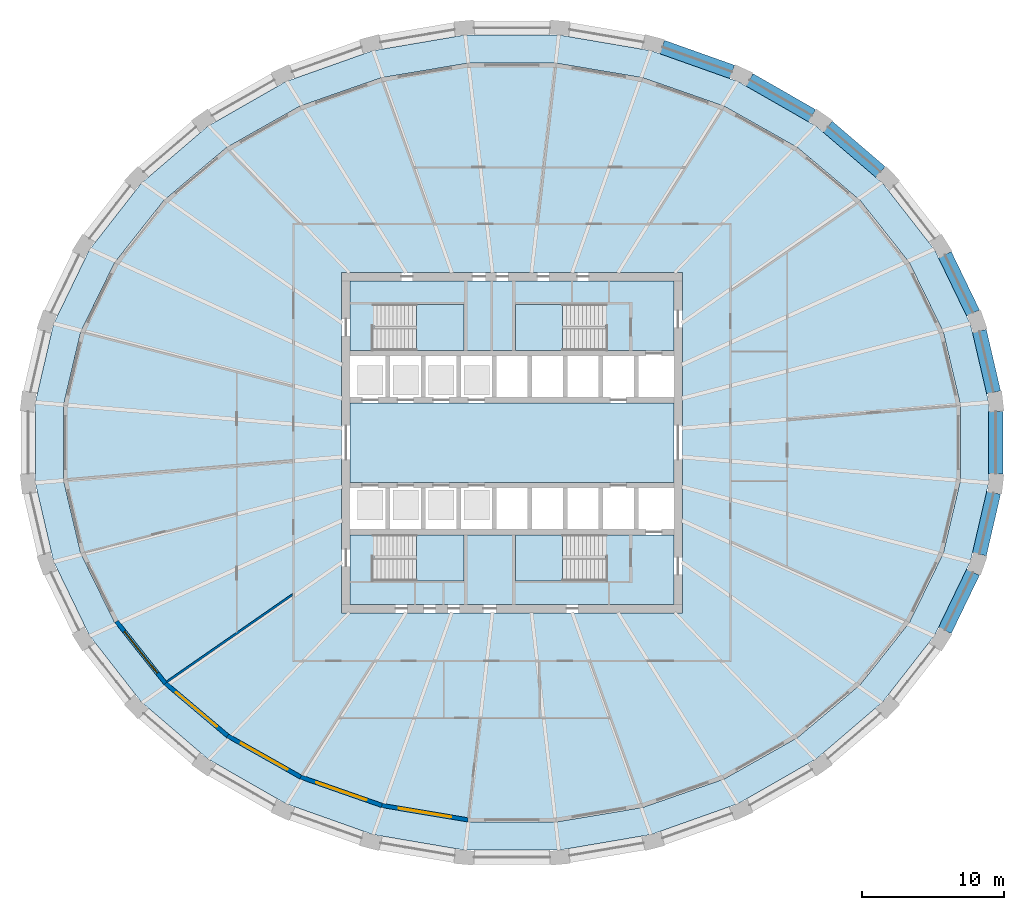
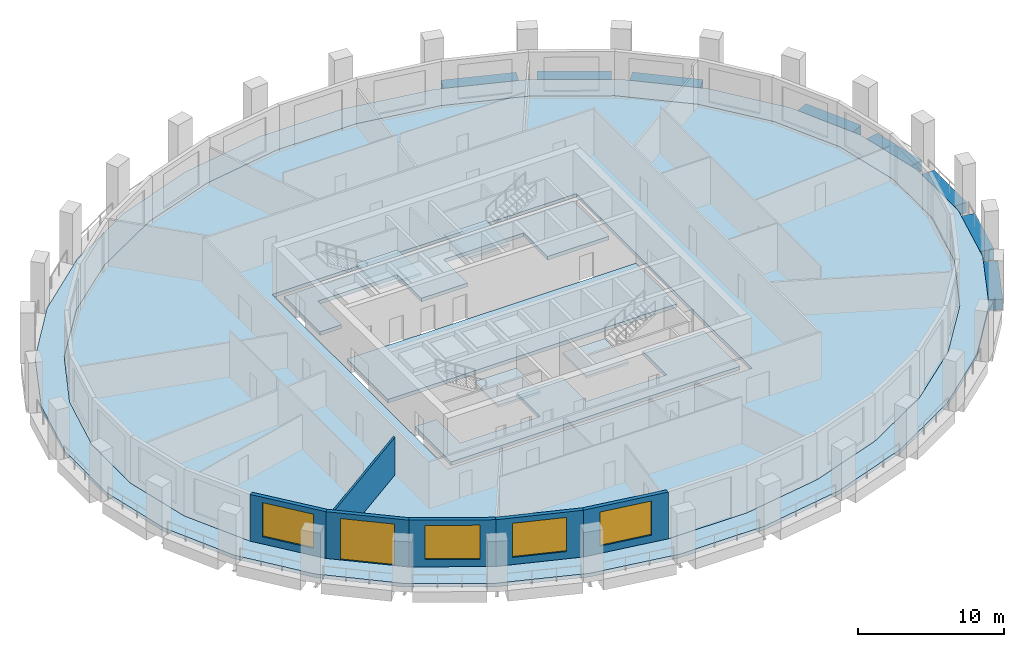
# One storey, part 2 of 11: 9 slabs, 8 beams, 6 walls, 4 windows, 1 door, 5 openings, 4 elements without a shape of their own.
"""IFC4 building model written with IfcOpenShell, lengths in metres."""

from ifc_helpers import new_model, si_unit, direction, frame, frame_2d, origin, origin_2d, place, context, subcontext, project, spatial, polyline, rectangle, outline, extrude, material, layer, layer_set, material_profile, profile_set, type_object, element, fill, aggregate, save


model = new_model("IFC4")

# Units and contexts
model_context = context("Model", 3, precision=1e-05, world=origin(), true_north=direction((0.0, 1.0)))
body_context = subcontext(model_context, "Body", "Model", "MODEL_VIEW")
ifc_project = project(units=[si_unit("LENGTHUNIT", "METRE"), si_unit("AREAUNIT", "SQUARE_METRE"), si_unit("VOLUMEUNIT", "CUBIC_METRE"), si_unit("PLANEANGLEUNIT", "RADIAN"), si_unit("MASSUNIT", "GRAM", prefix="KILO")], contexts=[model_context])

# Site, building, storey
site_placement = place(None, origin())
site = spatial("IfcSite", under=ifc_project, at=site_placement, CompositionType="ELEMENT")
building_placement = place(site_placement, origin())
building = spatial("IfcBuilding", under=site, at=building_placement, Name="Halqa Exchange Tower", CompositionType="ELEMENT")
storey_placement = place(building_placement, frame((0.0, 0.0, 146.5)))
storey = spatial("IfcBuildingStorey", under=building, at=storey_placement, Name="L33", CompositionType="ELEMENT", Elevation=146.5)

# Beams
ifc_material_1 = material(Name="Concrete C60/75", Category="concrete")
ifc_material_profile = material_profile(ifc_material_1, rectangle(XDim=1.0, YDim=0.89990234375, at=origin_2d()), Name="1000 x 900")
ifc_profile_set = profile_set([ifc_material_profile], Name="Concrete C60/75")
beam_type = type_object("IfcBeamType", Name="RC spandrel beam 1000 x 900 C60/75", PredefinedType="SPANDREL", material=ifc_profile_set)
beam_1_placement = place(storey_placement, frame((33.9453125, 3.536865234375, -0.449951171875), z_axis=(-0.226018930152, 0.974122909705, 0.0), x_axis=(-0.974122909705, -0.226018930152, 0.0)))
element("IfcBeam", 1, at=beam_1_placement, inside=storey, type_object=beam_type, Name="Spandrel 1", PredefinedType="SPANDREL", context=body_context, shape_type="SweptSolid", body=[
    extrude(rectangle(XDim=1.0, YDim=0.89990234375, at=origin_2d()), origin(), (0.0, 0.0, 1.0), 4.44384765625),
])
beam_2_placement = place(storey_placement, frame((32.49365234375, 9.134033203125, -0.449951171875), z_axis=(-0.435149114215, 0.900358399971, 0.0), x_axis=(-0.900358399971, -0.435149114215, 0.0)))
element("IfcBeam", 2, at=beam_2_placement, inside=storey, type_object=beam_type, Name="Spandrel 2", PredefinedType="SPANDREL", context=body_context, shape_type="SweptSolid", body=[
    extrude(rectangle(XDim=1.0, YDim=0.89990234375, at=origin_2d()), origin(), (0.0, 0.0, 1.0), 4.556396484375),
])
beam_3_placement = place(storey_placement, frame((25.972900390625, 19.07080078125, -0.449951171875), z_axis=(-0.759267140772, 0.650779078447, 0.0), x_axis=(-0.650779078447, -0.759267140772, 0.0)))
element("IfcBeam", 3, at=beam_3_placement, inside=storey, type_object=beam_type, Name="Spandrel 4", PredefinedType="SPANDREL", context=body_context, shape_type="SweptSolid", body=[
    extrude(rectangle(XDim=1.0, YDim=0.89990234375, at=origin_2d()), origin(), (0.0, 0.0, 1.0), 4.90576171875),
])
beam_4_placement = place(storey_placement, frame((21.150634765625, 23.03759765625, -0.449951171875), z_axis=(-0.867746542686, 0.497006979484, 0.0), x_axis=(-0.497006979484, -0.867746542686, 0.0)))
element("IfcBeam", 4, at=beam_4_placement, inside=storey, type_object=beam_type, Name="Spandrel 5", PredefinedType="SPANDREL", context=body_context, shape_type="SweptSolid", body=[
    extrude(rectangle(XDim=1.0, YDim=0.89990234375, at=origin_2d()), origin(), (0.0, 0.0, 1.0), 5.087158203125),
])
beam_5_placement = place(storey_placement, frame((15.515380859375, 26.12646484375, -0.449951171875), z_axis=(-0.942353294541, 0.334619587393, 0.0), x_axis=(-0.334619587393, -0.942353294541, 0.0)))
element("IfcBeam", 5, at=beam_5_placement, inside=storey, type_object=beam_type, Name="Spandrel 6", PredefinedType="SPANDREL", context=body_context, shape_type="SweptSolid", body=[
    extrude(rectangle(XDim=1.0, YDim=0.89990234375, at=origin_2d()), origin(), (0.0, 0.0, 1.0), 5.235595703125),
])
beam_6_placement = place(storey_placement, frame((30.510986328125, -13.236328125, -0.449951171875), z_axis=(0.435149114215, 0.900358399971, 0.0), x_axis=(-0.900358399971, 0.435149114215, 0.0)))
element("IfcBeam", 6, at=beam_6_placement, inside=storey, type_object=beam_type, Name="Spandrel 30", PredefinedType="SPANDREL", context=body_context, shape_type="SweptSolid", body=[
    extrude(rectangle(XDim=1.0, YDim=0.89990234375, at=origin_2d()), origin(), (0.0, 0.0, 1.0), 4.556396484375),
])
beam_7_placement = place(storey_placement, frame((32.94091796875, -7.86572265625, -0.449951171875), z_axis=(0.226018930152, 0.974122909705, 0.0), x_axis=(-0.974122909705, 0.226018930152, 0.0)))
element("IfcBeam", 7, at=beam_7_placement, inside=storey, type_object=beam_type, Name="Spandrel 31", PredefinedType="SPANDREL", context=body_context, shape_type="SweptSolid", body=[
    extrude(rectangle(XDim=1.0, YDim=0.89990234375, at=origin_2d()), origin(), (0.0, 0.0, 1.0), 4.44384765625),
])
beam_8_placement = place(storey_placement, frame((34.09814453125, -2.20263671875, -0.449951171875), z_axis=(0.0, 1.0, 0.0), x_axis=(-1.0, 0.0, 0.0)))
element("IfcBeam", 8, at=beam_8_placement, inside=storey, type_object=beam_type, Name="Spandrel 32", PredefinedType="SPANDREL", context=body_context, shape_type="SweptSolid", body=[
    extrude(rectangle(XDim=1.0, YDim=0.89990234375, at=origin_2d()), origin(), (0.0, 0.0, 1.0), 4.4052734375),
])

# Slabs
ifc_layer_1 = layer(ifc_material_1, 0.300048828125)
ifc_layer_set_1 = layer_set([ifc_layer_1], Name="Concrete C60/75")
slab_type_1 = type_object("IfcSlabType", Name="Core floor slab 300", PredefinedType="FLOOR", material=ifc_layer_set_1)
slab_1_placement = place(storey_placement, frame((0.0, 0.0, -0.300048828125)))
element("IfcSlab", 9, at=slab_1_placement, inside=storey, type_object=slab_type_1, Name="Core floor slab", PredefinedType="FLOOR", context=body_context, shape_type="SweptSolid", body=[
    extrude(outline(polyline([(-11.39990234375, 2.800048828125), (11.39990234375, 2.800048828125), (11.39990234375, -2.800048828125), (-11.39990234375, -2.800048828125), (-11.39990234375, 2.800048828125)])), origin(), (0.0, 0.0, 1.0), 0.300048828125),
])
slab_2_placement = place(storey_placement, frame((0.0, 0.0, -0.300048828125)))
element("IfcSlab", 10, at=slab_2_placement, inside=storey, type_object=slab_type_1, Name="Core floor slab", PredefinedType="FLOOR", context=body_context, shape_type="SweptSolid", body=[
    extrude(outline(polyline([(-11.39990234375, 11.39990234375), (11.39990234375, 11.39990234375), (11.39990234375, 6.5), (6.550048828125, 6.5), (6.550048828125, 9.75), (0.25, 9.75), (0.25, 6.5), (-3.39990234375, 6.5), (-3.39990234375, 9.75), (-9.699951171875, 9.75), (-9.699951171875, 6.5), (-11.39990234375, 6.5), (-11.39990234375, 11.39990234375)])), origin(), (0.0, 0.0, 1.0), 0.300048828125),
])
slab_3_placement = place(storey_placement, frame((0.0, 0.0, -0.300048828125)))
element("IfcSlab", 11, at=slab_3_placement, inside=storey, type_object=slab_type_1, Name="Core floor slab", PredefinedType="FLOOR", context=body_context, shape_type="SweptSolid", body=[
    extrude(outline(polyline([(-9.699951171875, -9.75), (-3.39990234375, -9.75), (-3.39990234375, -6.5), (0.25, -6.5), (0.25, -9.75), (6.550048828125, -9.75), (6.550048828125, -6.5), (11.39990234375, -6.5), (11.39990234375, -11.39990234375), (-11.39990234375, -11.39990234375), (-11.39990234375, -6.5), (-9.699951171875, -6.5), (-9.699951171875, -9.75)])), origin(), (0.0, 0.0, 1.0), 0.300048828125),
])
ifc_material_2 = material(Name="Concrete C40/50", Category="concrete")
ifc_layer_2 = layer(ifc_material_2, 0.300048828125)
ifc_layer_set_2 = layer_set([ifc_layer_2], Name="Concrete C40/50")
slab_type_2 = type_object("IfcSlabType", Name="RC floor slab 300", PredefinedType="FLOOR", material=ifc_layer_set_2)
slab_4_placement = place(storey_placement, frame((0.0, 0.0, -0.300048828125)))
element("IfcSlab", 12, at=slab_4_placement, inside=storey, type_object=slab_type_2, Name="Floor slab", PredefinedType="FLOOR", context=body_context, shape_type="SweptSolid", body=[
    extrude(outline(polyline([(31.61181640625, 2.63916015625), (30.392578125, 7.814208984375), (28.00341796875, 12.685302734375), (24.5380859375, 17.064697265625), (20.132080078125, 20.78515625), (14.955810546875, 23.705810546875), (9.208251953125, 25.716064453125), (3.10888671875, 26.740478515625), (-3.10888671875, 26.740478515625), (-9.208251953125, 25.716064453125), (-14.955810546875, 23.705810546875), (-20.132080078125, 20.78515625), (-24.5380859375, 17.064697265625), (-28.00341796875, 12.685302734375), (-30.392578125, 7.814208984375), (-31.61181640625, 2.63916015625), (-31.61181640625, -2.63916015625), (-30.392578125, -7.814208984375), (-28.00341796875, -12.685302734375), (-24.5380859375, -17.064697265625), (-20.132080078125, -20.78515625), (-14.955810546875, -23.705810546875), (-9.208251953125, -25.716064453125), (-3.10888671875, -26.740478515625), (3.10888671875, -26.740478515625), (9.208251953125, -25.716064453125), (14.955810546875, -23.705810546875), (20.132080078125, -20.78515625), (24.5380859375, -17.064697265625), (28.00341796875, -12.685302734375), (30.392578125, -7.814208984375), (31.61181640625, -2.63916015625), (31.61181640625, 2.63916015625)]), holes=[polyline([(-12.0, -12.0), (12.0, -12.0), (12.0, 12.0), (-12.0, 12.0), (-12.0, -12.0)])]), origin(), (0.0, 0.0, 1.0), 0.300048828125),
])
ifc_layer_3 = layer(ifc_material_2, 0.300048828125)
ifc_layer_set_3 = layer_set([ifc_layer_3], Name="Concrete C40/50")
slab_type_3 = type_object("IfcSlabType", Name="RC loggia slab 300", PredefinedType="FLOOR", material=ifc_layer_set_3)
slab_5_placement = place(storey_placement, frame((0.0, 0.0, -0.300048828125)))
element("IfcSlab", 13, at=slab_5_placement, inside=storey, type_object=slab_type_3, Name="Loggia slab", PredefinedType="FLOOR", context=body_context, shape_type="SweptSolid", body=[
    extrude(outline(polyline([(33.59814453125, 2.8212890625), (33.59814453125, -2.8212890625), (32.313232421875, -8.35791015625), (29.790283203125, -13.578857421875), (26.122314453125, -18.2841796875), (21.44677734375, -22.291748046875), (15.94189453125, -25.444580078125), (9.819580078125, -27.618408203125), (3.316162109375, -28.72705078125), (-3.316162109375, -28.72705078125), (-9.819580078125, -27.618408203125), (-15.94189453125, -25.444580078125), (-21.44677734375, -22.291748046875), (-26.122314453125, -18.2841796875), (-29.790283203125, -13.578857421875), (-32.313232421875, -8.35791015625), (-33.59814453125, -2.8212890625), (-33.59814453125, 2.8212890625), (-32.313232421875, 8.35791015625), (-29.790283203125, 13.578857421875), (-26.122314453125, 18.2841796875), (-21.44677734375, 22.291748046875), (-15.94189453125, 25.444580078125), (-9.819580078125, 27.618408203125), (-3.316162109375, 28.72705078125), (3.316162109375, 28.72705078125), (9.819580078125, 27.618408203125), (15.94189453125, 25.444580078125), (21.44677734375, 22.291748046875), (26.122314453125, 18.2841796875), (29.790283203125, 13.578857421875), (32.313232421875, 8.35791015625), (33.59814453125, 2.8212890625)]), holes=[polyline([(31.61181640625, 2.63916015625), (30.392578125, 7.814208984375), (28.00341796875, 12.685302734375), (24.5380859375, 17.064697265625), (20.132080078125, 20.78515625), (14.955810546875, 23.705810546875), (9.208251953125, 25.716064453125), (3.10888671875, 26.740478515625), (-3.10888671875, 26.740478515625), (-9.208251953125, 25.716064453125), (-14.955810546875, 23.705810546875), (-20.132080078125, 20.78515625), (-24.5380859375, 17.064697265625), (-28.00341796875, 12.685302734375), (-30.392578125, 7.814208984375), (-31.61181640625, 2.63916015625), (-31.61181640625, -2.63916015625), (-30.392578125, -7.814208984375), (-28.00341796875, -12.685302734375), (-24.5380859375, -17.064697265625), (-20.132080078125, -20.78515625), (-14.955810546875, -23.705810546875), (-9.208251953125, -25.716064453125), (-3.10888671875, -26.740478515625), (3.10888671875, -26.740478515625), (9.208251953125, -25.716064453125), (14.955810546875, -23.705810546875), (20.132080078125, -20.78515625), (24.5380859375, -17.064697265625), (28.00341796875, -12.685302734375), (30.392578125, -7.814208984375), (31.61181640625, -2.63916015625), (31.61181640625, 2.63916015625)])]), origin(), (0.0, 0.0, 1.0), 0.300048828125),
])

# Stair, slab
ifc_material_3 = material(Name="Concrete C30/37", Category="concrete")
stair_type = type_object("IfcStairType", Name="Exit stair 1500 wide", PredefinedType="HALF_TURN_STAIR", material=ifc_material_3)
stair_1_placement = place(storey_placement, origin())
stair_1 = element("IfcStair", 14, at=stair_1_placement, inside=storey, type_object=stair_type, Name="Exit stair ST1", PredefinedType="HALF_TURN_STAIR")
ifc_layer_4 = layer(ifc_material_3, 0.199951171875)
ifc_layer_set_4 = layer_set([ifc_layer_4], Name="Concrete C30/37")
slab_type_4 = type_object("IfcSlabType", Name="Stair landing 200 slab", PredefinedType="LANDING", material=ifc_layer_set_4)
slab_6_placement = place(storey_placement, frame((0.0, 0.0, 1.89990234375)))
slab_6 = element("IfcSlab", 15, at=slab_6_placement, type_object=slab_type_4, Name="ST1 landing 1", PredefinedType="LANDING", context=body_context, shape_type="SweptSolid", body=[
    extrude(outline(polyline([(-6.719970703125, 6.5), (-3.39990234375, 6.5), (-3.39990234375, 9.75), (-6.719970703125, 9.75), (-6.719970703125, 6.5)])), origin(), (0.0, 0.0, 1.0), 0.2001953125),
])
aggregate(stair_1, [slab_6])

stair_2_placement = place(storey_placement, origin())
stair_2 = element("IfcStair", 16, at=stair_2_placement, inside=storey, type_object=stair_type, Name="Exit stair ST2", PredefinedType="HALF_TURN_STAIR")
slab_7_placement = place(storey_placement, frame((0.0, 0.0, 1.89990234375)))
slab_7 = element("IfcSlab", 17, at=slab_7_placement, type_object=slab_type_4, Name="ST2 landing 1", PredefinedType="LANDING", context=body_context, shape_type="SweptSolid", body=[
    extrude(outline(polyline([(0.25, 6.5), (3.570068359375, 6.5), (3.570068359375, 9.75), (0.25, 9.75), (0.25, 6.5)])), origin(), (0.0, 0.0, 1.0), 0.2001953125),
])
aggregate(stair_2, [slab_7])

stair_3_placement = place(storey_placement, origin())
stair_3 = element("IfcStair", 18, at=stair_3_placement, inside=storey, type_object=stair_type, Name="Exit stair ST3", PredefinedType="HALF_TURN_STAIR")
slab_8_placement = place(storey_placement, frame((0.0, 0.0, 1.89990234375)))
slab_8 = element("IfcSlab", 19, at=slab_8_placement, type_object=slab_type_4, Name="ST3 landing 1", PredefinedType="LANDING", context=body_context, shape_type="SweptSolid", body=[
    extrude(outline(polyline([(-6.719970703125, -9.75), (-3.39990234375, -9.75), (-3.39990234375, -6.5), (-6.719970703125, -6.5), (-6.719970703125, -9.75)])), origin(), (0.0, 0.0, 1.0), 0.2001953125),
])
aggregate(stair_3, [slab_8])

stair_4_placement = place(storey_placement, origin())
stair_4 = element("IfcStair", 20, at=stair_4_placement, inside=storey, type_object=stair_type, Name="Exit stair ST4", PredefinedType="HALF_TURN_STAIR")
slab_9_placement = place(storey_placement, frame((0.0, 0.0, 1.89990234375)))
slab_9 = element("IfcSlab", 21, at=slab_9_placement, type_object=slab_type_4, Name="ST4 landing 1", PredefinedType="LANDING", context=body_context, shape_type="SweptSolid", body=[
    extrude(outline(polyline([(0.25, -9.75), (3.570068359375, -9.75), (3.570068359375, -6.5), (0.25, -6.5), (0.25, -9.75)])), origin(), (0.0, 0.0, 1.0), 0.2001953125),
])
aggregate(stair_4, [slab_9])

# Wall
ifc_material_4 = material(Name="Fire-rated gypsum board")
ifc_layer_5 = layer(ifc_material_4, 0.14990234375)
ifc_layer_set_5 = layer_set([ifc_layer_5], Name="Fire-rated gypsum board")
wall_type_1 = type_object("IfcWallType", Name="Fire partition EI 60 150", PredefinedType="PARTITIONING", material=ifc_layer_set_5)
wall_1_placement = place(storey_placement, frame((-24.32373046875, -16.859130859375, 0.0), z_axis=(0.0, 0.0, 1.0), x_axis=(0.821700462415, 0.569919599652, 0.0)))
element("IfcWall", 22, at=wall_1_placement, inside=storey, type_object=wall_type_1, Name="L33-PWL-003", PredefinedType="PARTITIONING", context=body_context, shape_type="SweptSolid", body=[
    extrude(outline(polyline([(0.025146484375, -0.074951171875), (1.80712890625, -0.074951171875), (3.5888671875, -0.074951171875), (5.370849609375, -0.074951171875), (7.15283203125, -0.074951171875), (8.934814453125, -0.074951171875), (10.716796875, -0.074951171875), (10.8203125, 0.07421875), (10.8203125, 0.074951171875), (9.24853515625, 0.074951171875), (7.6767578125, 0.074951171875), (6.10498046875, 0.074951171875), (6.10400390625, 0.073486328125), (6.101806640625, 0.074951171875), (4.576416015625, 0.074951171875), (3.051025390625, 0.074951171875), (1.525390625, 0.074951171875), (0.0, 0.074951171875), (0.0, 0.070556640625), (0.00439453125, 0.002197265625), (0.025146484375, -0.074951171875)])), origin(), (0.0, 0.0, 1.0), 3.14697265625),
])

# Wall, opening, window
ifc_material_5 = material(Name="Limestone cladding", Category="masonry")
ifc_layer_6 = layer(ifc_material_5, 0.0400390625)
ifc_material_6 = material(Name="Ventilated cavity")
ifc_layer_7 = layer(ifc_material_6, 0.030029296875, ventilated=True)
ifc_material_7 = material(Name="Mineral wool insulation")
ifc_layer_8 = layer(ifc_material_7, 0.10009765625)
ifc_layer_9 = layer(ifc_material_3, 0.10009765625)
ifc_material_8 = material(Name="Internal plaster")
ifc_layer_10 = layer(ifc_material_8, 0.030029296875)
ifc_layer_set_6 = layer_set([ifc_layer_6, ifc_layer_7, ifc_layer_8, ifc_layer_9, ifc_layer_10], Name="Stone-faced insulated wall 300")
wall_type_2 = type_object("IfcWallType", Name="Stone-faced insulated wall 300", PredefinedType="STANDARD", material=ifc_layer_set_6)
wall_2_placement = place(storey_placement, frame((-27.875732421875, -12.604736328125, 0.0), z_axis=(0.0, 0.0, 1.0), x_axis=(0.620520511988, -0.784190215574, 0.0)))
wall_2 = element("IfcWall", 23, at=wall_2_placement, inside=storey, type_object=wall_type_2, Name="Glass-line wall 19", PredefinedType="STANDARD", context=body_context, shape_type="SweptSolid", body=[
    extrude(outline(polyline([(-0.01611328125, -0.14990234375), (5.568603515625, -0.14990234375), (5.538330078125, 0.14990234375), (0.01611328125, 0.14990234375), (-0.01611328125, -0.14990234375)])), origin(), (0.0, 0.0, 1.0), 3.89990234375),
])
opening_1_placement = place(wall_2_placement, frame((0.901611328125, 0.0, 0.60009765625)))
opening_1 = element("IfcOpeningElement", 24, at=opening_1_placement, cuts=wall_2, Name="Opening W-F2-19", PredefinedType="OPENING", context=body_context, shape_type="SweptSolid", body=[
    extrude(rectangle(XDim=3.75, YDim=2.85009765625, at=frame_2d((1.875, 1.425048828125))), frame((0.0, 0.162109375, 0.0), z_axis=(0.0, -1.0, 0.0), x_axis=(1.0, 0.0, 0.0)), (0.0, 0.0, 1.0), 0.323974609375),
])
ifc_material_9 = material(Name="Clear low-emissivity glass in aluminium frame", Category="aluminium")
window_type = type_object("IfcWindowType", Name="Fixed clear glazed window 3750 x 2850", PartitioningType="TRIPLE_PANEL_VERTICAL", PredefinedType="WINDOW", material=ifc_material_9)
window_1_placement = place(opening_1_placement, origin())
window_1 = element("IfcWindow", 25, at=window_1_placement, inside=storey, type_object=window_type, Name="Window 2", OverallHeight=2.85009765625, OverallWidth=3.75, PartitioningType="TRIPLE_PANEL_VERTICAL", PredefinedType="WINDOW", context=body_context, shape_type="SweptSolid", body=[
    extrude(rectangle(XDim=3.75, YDim=2.85009765625, at=frame_2d((1.875, 1.425048828125))), frame((0.0, 0.030029296875, 0.0), z_axis=(0.0, -1.0, 0.0), x_axis=(1.0, 0.0, 0.0)), (0.0, 0.0, 1.0), 0.06005859375),
])
fill(opening_1, window_1)

# Wall, opening, door
wall_3_placement = place(storey_placement, frame((-24.4296875, -16.959716796875, 0.0), z_axis=(0.0, 0.0, 1.0), x_axis=(0.764047627809, -0.64515984255, 0.0)))
wall_3 = element("IfcWall", 26, at=wall_3_placement, inside=storey, type_object=wall_type_2, Name="Glass-line wall 20", PredefinedType="STANDARD", context=body_context, shape_type="SweptSolid", body=[
    extrude(outline(polyline([(-0.01513671875, -0.14990234375), (5.751708984375, -0.14990234375), (5.723388671875, 0.14990234375), (0.01513671875, 0.14990234375), (-0.01513671875, -0.14990234375)])), origin(), (0.0, 0.0, 1.0), 3.89990234375),
])
opening_2_placement = place(wall_3_placement, frame((0.99365234375, 0.0, 0.0)))
opening_2 = element("IfcOpeningElement", 27, at=opening_2_placement, cuts=wall_3, Name="Opening LG-F2-05", PredefinedType="OPENING", context=body_context, shape_type="SweptSolid", body=[
    extrude(rectangle(XDim=3.75, YDim=3.449951171875, at=frame_2d((1.875, 1.72509765625))), frame((0.0, 0.162109375, 0.0), z_axis=(0.0, -1.0, 0.0), x_axis=(1.0, 0.0, 0.0)), (0.0, 0.0, 1.0), 0.323974609375),
])
door_type = type_object("IfcDoorType", Name="Glazed sliding loggia door 3750 x 3450", OperationType="DOUBLE_DOOR_SLIDING", PredefinedType="DOOR", material=ifc_material_9)
door_placement = place(opening_2_placement, origin())
door = element("IfcDoor", 28, at=door_placement, inside=storey, type_object=door_type, Name="Loggia door 5", OperationType="DOUBLE_DOOR_SLIDING", OverallHeight=3.449951171875, OverallWidth=3.75, PredefinedType="DOOR", context=body_context, shape_type="SweptSolid", body=[
    extrude(rectangle(XDim=3.75, YDim=3.449951171875, at=frame_2d((1.875, 1.72509765625))), frame((0.0, 0.02490234375, 0.0), z_axis=(0.0, -1.0, 0.0), x_axis=(1.0, 0.0, 0.0)), (0.0, 0.0, 1.0), 0.050048828125),
])
fill(opening_2, door)

# Wall, opening, window
wall_4_placement = place(storey_placement, frame((-20.0458984375, -20.661376953125, 0.0), z_axis=(0.0, 0.0, 1.0), x_axis=(0.870912346166, -0.491438384028, 0.0)))
wall_4 = element("IfcWall", 29, at=wall_4_placement, inside=storey, type_object=wall_type_2, Name="Glass-line wall 21", PredefinedType="STANDARD", context=body_context, shape_type="SweptSolid", body=[
    extrude(outline(polyline([(-0.01416015625, -0.14990234375), (5.92919921875, -0.14990234375), (5.90234375, 0.14990234375), (0.01416015625, 0.14990234375), (-0.01416015625, -0.14990234375)])), origin(), (0.0, 0.0, 1.0), 3.89990234375),
])
opening_3_placement = place(wall_4_placement, frame((1.0830078125, 0.0, 0.60009765625)))
opening_3 = element("IfcOpeningElement", 30, at=opening_3_placement, cuts=wall_4, Name="Opening W-F2-21", PredefinedType="OPENING", context=body_context, shape_type="SweptSolid", body=[
    extrude(rectangle(XDim=3.75, YDim=2.85009765625, at=frame_2d((1.875, 1.425048828125))), frame((0.0, 0.162109375, 0.0), z_axis=(0.0, -1.0, 0.0), x_axis=(1.0, 0.0, 0.0)), (0.0, 0.0, 1.0), 0.323974609375),
])
window_2_placement = place(opening_3_placement, origin())
window_2 = element("IfcWindow", 31, at=window_2_placement, inside=storey, type_object=window_type, Name="Window 2", OverallHeight=2.85009765625, OverallWidth=3.75, PartitioningType="TRIPLE_PANEL_VERTICAL", PredefinedType="WINDOW", context=body_context, shape_type="SweptSolid", body=[
    extrude(rectangle(XDim=3.75, YDim=2.85009765625, at=frame_2d((1.875, 1.425048828125))), frame((0.0, 0.030029296875, 0.0), z_axis=(0.0, -1.0, 0.0), x_axis=(1.0, 0.0, 0.0)), (0.0, 0.0, 1.0), 0.06005859375),
])
fill(opening_3, window_2)

wall_5_placement = place(storey_placement, frame((-14.893798828125, -23.568603515625, 0.0), z_axis=(0.0, 0.0, 1.0), x_axis=(0.943925510212, -0.330158494016, 0.0)))
wall_5 = element("IfcWall", 32, at=wall_5_placement, inside=storey, type_object=wall_type_2, Name="Glass-line wall 22", PredefinedType="STANDARD", context=body_context, shape_type="SweptSolid", body=[
    extrude(outline(polyline([(-0.013427734375, -0.14990234375), (6.07568359375, -0.14990234375), (6.05029296875, 0.14990234375), (0.013427734375, 0.14990234375), (-0.013427734375, -0.14990234375)])), origin(), (0.0, 0.0, 1.0), 3.89990234375),
])
opening_4_placement = place(wall_5_placement, frame((1.156494140625, 0.0, 0.60009765625)))
opening_4 = element("IfcOpeningElement", 33, at=opening_4_placement, cuts=wall_5, Name="Opening W-F2-22", PredefinedType="OPENING", context=body_context, shape_type="SweptSolid", body=[
    extrude(rectangle(XDim=3.75, YDim=2.85009765625, at=frame_2d((1.875, 1.425048828125))), frame((0.0, 0.162109375, 0.0), z_axis=(0.0, -1.0, 0.0), x_axis=(1.0, 0.0, 0.0)), (0.0, 0.0, 1.0), 0.323974609375),
])
window_3_placement = place(opening_4_placement, origin())
window_3 = element("IfcWindow", 34, at=window_3_placement, inside=storey, type_object=window_type, Name="Window 2", OverallHeight=2.85009765625, OverallWidth=3.75, PartitioningType="TRIPLE_PANEL_VERTICAL", PredefinedType="WINDOW", context=body_context, shape_type="SweptSolid", body=[
    extrude(rectangle(XDim=3.75, YDim=2.85009765625, at=frame_2d((1.875, 1.425048828125))), frame((0.0, 0.030029296875, 0.0), z_axis=(0.0, -1.0, 0.0), x_axis=(1.0, 0.0, 0.0)), (0.0, 0.0, 1.0), 0.06005859375),
])
fill(opening_4, window_3)

wall_6_placement = place(storey_placement, frame((-9.1708984375, -25.5703125, 0.0), z_axis=(0.0, 0.0, 1.0), x_axis=(0.986186393203, -0.165639360845, 0.0)))
wall_6 = element("IfcWall", 35, at=wall_6_placement, inside=storey, type_object=wall_type_2, Name="Glass-line wall 23", PredefinedType="STANDARD", context=body_context, shape_type="SweptSolid", body=[
    extrude(outline(polyline([(-0.0126953125, -0.14990234375), (6.172119140625, -0.14990234375), (6.147216796875, 0.14990234375), (0.0126953125, 0.14990234375), (-0.0126953125, -0.14990234375)])), origin(), (0.0, 0.0, 1.0), 3.89990234375),
])
opening_5_placement = place(wall_6_placement, frame((1.20458984375, 0.0, 0.60009765625)))
opening_5 = element("IfcOpeningElement", 36, at=opening_5_placement, cuts=wall_6, Name="Opening W-F2-23", PredefinedType="OPENING", context=body_context, shape_type="SweptSolid", body=[
    extrude(rectangle(XDim=3.75, YDim=2.85009765625, at=frame_2d((1.875, 1.425048828125))), frame((0.0, 0.162109375, 0.0), z_axis=(0.0, -1.0, 0.0), x_axis=(1.0, 0.0, 0.0)), (0.0, 0.0, 1.0), 0.323974609375),
])
window_4_placement = place(opening_5_placement, origin())
window_4 = element("IfcWindow", 37, at=window_4_placement, inside=storey, type_object=window_type, Name="Window 2", OverallHeight=2.85009765625, OverallWidth=3.75, PartitioningType="TRIPLE_PANEL_VERTICAL", PredefinedType="WINDOW", context=body_context, shape_type="SweptSolid", body=[
    extrude(rectangle(XDim=3.75, YDim=2.85009765625, at=frame_2d((1.875, 1.425048828125))), frame((0.0, 0.030029296875, 0.0), z_axis=(0.0, -1.0, 0.0), x_axis=(1.0, 0.0, 0.0)), (0.0, 0.0, 1.0), 0.06005859375),
])
fill(opening_5, window_4)

save(model, "model.ifc")
